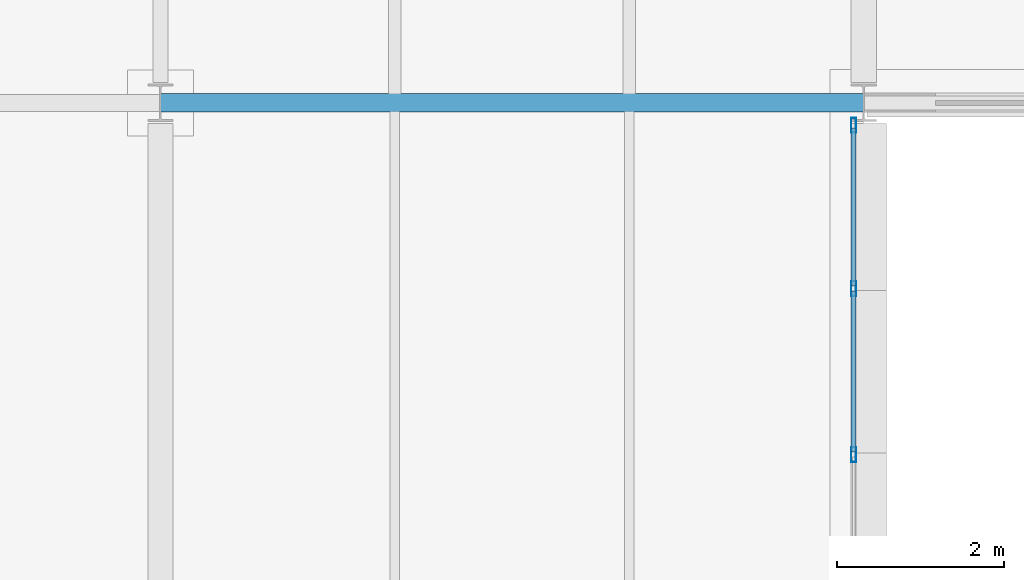
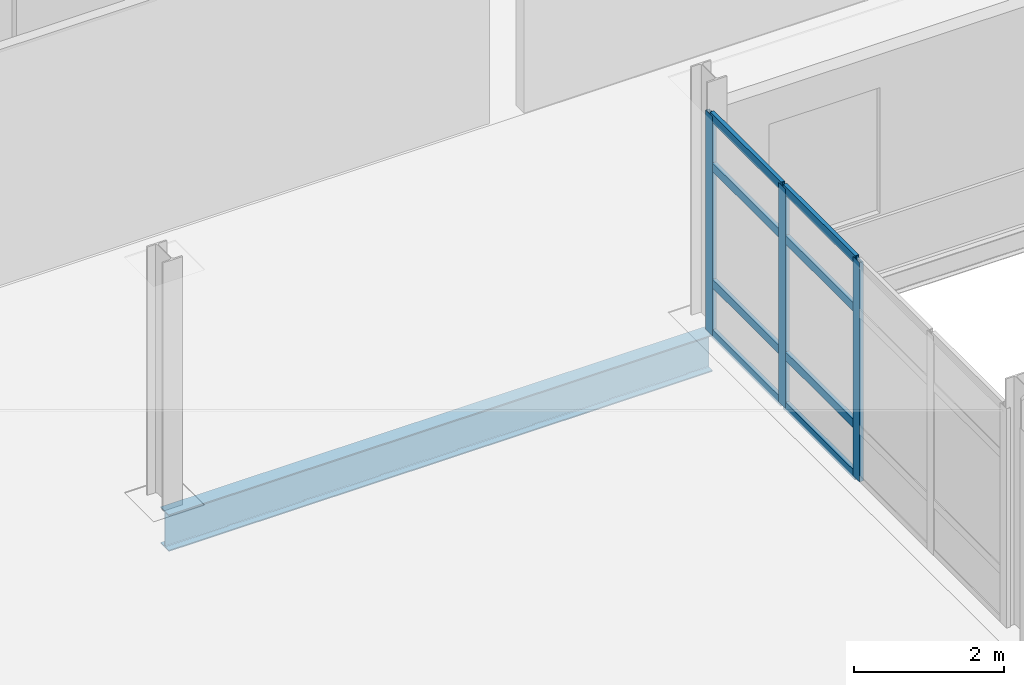
# One storey, part 53 of 103: 11 members, 1 beam, 1 element without a shape of its own.
"""IFC4 building model written with IfcOpenShell, lengths in metres."""

from ifc_helpers import new_model, si_unit, direction, frame, origin, origin_2d, place, context, subcontext, project, spatial, hollow_rectangle, i_section, extrude, material, material_profile, profile_set, type_object, element, aggregate, save


model = new_model("IFC4")

# Units and contexts
model_context = context("Model", 3, precision=1e-05, world=origin(), true_north=direction((0.0, 1.0)))
body_context = subcontext(model_context, "Body", "Model", "MODEL_VIEW")
ifc_project = project(units=[si_unit("LENGTHUNIT", "METRE"), si_unit("AREAUNIT", "SQUARE_METRE"), si_unit("VOLUMEUNIT", "CUBIC_METRE"), si_unit("PLANEANGLEUNIT", "RADIAN"), si_unit("MASSUNIT", "GRAM", prefix="KILO")], contexts=[model_context])

# Site, building, storey
site_placement = place(None, origin())
site = spatial("IfcSite", under=ifc_project, at=site_placement, CompositionType="ELEMENT")
building_placement = place(site_placement, origin())
building = spatial("IfcBuilding", under=site, at=building_placement, Name="Mersafa Astral City Hall", CompositionType="ELEMENT")
storey_placement = place(building_placement, frame((0.0, 0.0, 18.0)))
storey = spatial("IfcBuildingStorey", under=building, at=storey_placement, Name="L04", CompositionType="ELEMENT", Elevation=18.0)

# Curtain wall, members
ifc_material_1 = material(Name="Anodised bronze aluminium framing", Category="aluminium")
curtain_wall_type = type_object("IfcCurtainWallType", Name="ENV-CW-2", PredefinedType="USERDEFINED", material=ifc_material_1)
curtain_wall_placement = place(storey_placement, origin())
curtain_wall = element("IfcCurtainWall", 1, at=curtain_wall_placement, inside=storey, type_object=curtain_wall_type, Name="L04 Unitised solar curtain wall 217", ObjectType="UNITISED CURTAIN WALL", PredefinedType="USERDEFINED")
ifc_material_profile_1 = material_profile(ifc_material_1, hollow_rectangle(XDim=0.06005859375, YDim=0.179931640625, WallThickness=0.00390625, at=origin_2d()), Name="RHS 60x180x4")
ifc_profile_set_1 = profile_set([ifc_material_profile_1], Name="Anodised bronze aluminium framing")
member_type_1 = type_object("IfcMemberType", Name="ENV-CW-MUL-1", PredefinedType="MULLION", material=ifc_profile_set_1)
member_1_placement = place(storey_placement, frame((117.47998046875, 113.39990234375, -0.001953125), z_axis=(0.0, 0.0, 1.0), x_axis=(-1.0, 0.0, 0.0)))
member_1 = element("IfcMember", 2, at=member_1_placement, type_object=member_type_1, Name="CW-2 mullion 3", PredefinedType="MULLION", context=body_context, shape_type="SweptSolid", body=[
    extrude(hollow_rectangle(XDim=0.06005859375, YDim=0.179931640625, WallThickness=0.00390625, at=origin_2d()), origin(), (0.0, 0.0, 1.0), 3.578857421875),
])
member_2_placement = place(storey_placement, frame((117.47998046875, 115.381591796875, -0.001953125), z_axis=(0.0, 0.0, 1.0), x_axis=(-1.0, 0.0, 0.0)))
member_2 = element("IfcMember", 3, at=member_2_placement, type_object=member_type_1, Name="CW-2 mullion 4", PredefinedType="MULLION", context=body_context, shape_type="SweptSolid", body=[
    extrude(hollow_rectangle(XDim=0.06005859375, YDim=0.179931640625, WallThickness=0.00390625, at=origin_2d()), origin(), (0.0, 0.0, 1.0), 3.578857421875),
])
member_3_placement = place(storey_placement, frame((117.47998046875, 117.3330078125, -0.001953125), z_axis=(0.0, 0.0, 1.0), x_axis=(-1.0, 0.0, 0.0)))
member_3 = element("IfcMember", 4, at=member_3_placement, type_object=member_type_1, Name="CW-2 mullion 5", PredefinedType="MULLION", context=body_context, shape_type="SweptSolid", body=[
    extrude(hollow_rectangle(XDim=0.06005859375, YDim=0.179931640625, WallThickness=0.00390625, at=origin_2d()), origin(), (0.0, 0.0, 1.0), 3.578857421875),
])
ifc_material_profile_2 = material_profile(ifc_material_1, hollow_rectangle(XDim=0.06005859375, YDim=0.139892578125, WallThickness=0.00390625, at=origin_2d()), Name="RHS 60x140x4")
ifc_profile_set_2 = profile_set([ifc_material_profile_2], Name="Anodised bronze aluminium framing")
member_type_2 = type_object("IfcMemberType", Name="ENV-CW-TRN-1", PredefinedType="USERDEFINED", material=ifc_profile_set_2)
member_4_placement = place(storey_placement, frame((117.47998046875, 113.429931640625, 0.028076171875), z_axis=(0.0, 1.0, 0.0), x_axis=(-1.0, 0.0, 0.0)))
member_4 = element("IfcMember", 5, at=member_4_placement, type_object=member_type_2, Name="CW-2 transom 3.1", ObjectType="TRANSOM", PredefinedType="USERDEFINED", context=body_context, shape_type="SweptSolid", body=[
    extrude(hollow_rectangle(XDim=0.06005859375, YDim=0.139892578125, WallThickness=0.00390625, at=origin_2d()), origin(), (0.0, 0.0, 1.0), 1.921630859375),
])
member_5_placement = place(storey_placement, frame((117.47998046875, 113.429931640625, 0.85009765625), z_axis=(0.0, 1.0, 0.0), x_axis=(-1.0, 0.0, 0.0)))
member_5 = element("IfcMember", 6, at=member_5_placement, type_object=member_type_2, Name="CW-2 transom 3.2", ObjectType="TRANSOM", PredefinedType="USERDEFINED", context=body_context, shape_type="SweptSolid", body=[
    extrude(hollow_rectangle(XDim=0.06005859375, YDim=0.139892578125, WallThickness=0.00390625, at=origin_2d()), origin(), (0.0, 0.0, 1.0), 1.921630859375),
])
member_6_placement = place(storey_placement, frame((117.47998046875, 113.429931640625, 2.75), z_axis=(0.0, 1.0, 0.0), x_axis=(-1.0, 0.0, 0.0)))
member_6 = element("IfcMember", 7, at=member_6_placement, type_object=member_type_2, Name="CW-2 transom 3.3", ObjectType="TRANSOM", PredefinedType="USERDEFINED", context=body_context, shape_type="SweptSolid", body=[
    extrude(hollow_rectangle(XDim=0.06005859375, YDim=0.139892578125, WallThickness=0.00390625, at=origin_2d()), origin(), (0.0, 0.0, 1.0), 1.921630859375),
])
member_7_placement = place(storey_placement, frame((117.47998046875, 113.429931640625, 3.547119140625), z_axis=(0.0, 1.0, 0.0), x_axis=(-1.0, 0.0, 0.0)))
member_7 = element("IfcMember", 8, at=member_7_placement, type_object=member_type_2, Name="CW-2 transom 3.4", ObjectType="TRANSOM", PredefinedType="USERDEFINED", context=body_context, shape_type="SweptSolid", body=[
    extrude(hollow_rectangle(XDim=0.06005859375, YDim=0.139892578125, WallThickness=0.00390625, at=origin_2d()), origin(), (0.0, 0.0, 1.0), 1.921630859375),
])
member_8_placement = place(storey_placement, frame((117.47998046875, 115.41162109375, 0.028076171875), z_axis=(0.0, 1.0, 0.0), x_axis=(-1.0, 0.0, 0.0)))
member_8 = element("IfcMember", 9, at=member_8_placement, type_object=member_type_2, Name="CW-2 transom 4.1", ObjectType="TRANSOM", PredefinedType="USERDEFINED", context=body_context, shape_type="SweptSolid", body=[
    extrude(hollow_rectangle(XDim=0.06005859375, YDim=0.139892578125, WallThickness=0.00390625, at=origin_2d()), origin(), (0.0, 0.0, 1.0), 1.891357421875),
])
member_9_placement = place(storey_placement, frame((117.47998046875, 115.41162109375, 0.85009765625), z_axis=(0.0, 1.0, 0.0), x_axis=(-1.0, 0.0, 0.0)))
member_9 = element("IfcMember", 10, at=member_9_placement, type_object=member_type_2, Name="CW-2 transom 4.2", ObjectType="TRANSOM", PredefinedType="USERDEFINED", context=body_context, shape_type="SweptSolid", body=[
    extrude(hollow_rectangle(XDim=0.06005859375, YDim=0.139892578125, WallThickness=0.00390625, at=origin_2d()), origin(), (0.0, 0.0, 1.0), 1.891357421875),
])
member_10_placement = place(storey_placement, frame((117.47998046875, 115.41162109375, 2.75), z_axis=(0.0, 1.0, 0.0), x_axis=(-1.0, 0.0, 0.0)))
member_10 = element("IfcMember", 11, at=member_10_placement, type_object=member_type_2, Name="CW-2 transom 4.3", ObjectType="TRANSOM", PredefinedType="USERDEFINED", context=body_context, shape_type="SweptSolid", body=[
    extrude(hollow_rectangle(XDim=0.06005859375, YDim=0.139892578125, WallThickness=0.00390625, at=origin_2d()), origin(), (0.0, 0.0, 1.0), 1.891357421875),
])
member_11_placement = place(storey_placement, frame((117.47998046875, 115.41162109375, 3.547119140625), z_axis=(0.0, 1.0, 0.0), x_axis=(-1.0, 0.0, 0.0)))
member_11 = element("IfcMember", 12, at=member_11_placement, type_object=member_type_2, Name="CW-2 transom 4.4", ObjectType="TRANSOM", PredefinedType="USERDEFINED", context=body_context, shape_type="SweptSolid", body=[
    extrude(hollow_rectangle(XDim=0.06005859375, YDim=0.139892578125, WallThickness=0.00390625, at=origin_2d()), origin(), (0.0, 0.0, 1.0), 1.891357421875),
])
aggregate(curtain_wall, [member_1, member_2, member_3, member_4, member_5, member_6, member_7, member_8, member_9, member_10, member_11])

# Beam
ifc_material_2 = material(Name="Steel S355", Category="steel")
ifc_material_profile_3 = material_profile(ifc_material_2, i_section(OverallWidth=0.219970703125, OverallDepth=0.60009765625, WebThickness=0.011962890625, FlangeThickness=0.01904296875, FilletRadius=0.02392578125, at=origin_2d()), Name="IPE 600")
ifc_profile_set_3 = profile_set([ifc_material_profile_3], Name="Steel S355")
beam_type = type_object("IfcBeamType", Name="STR-BM-IPE600", PredefinedType="BEAM", material=ifc_profile_set_3)
beam_placement = place(storey_placement, frame((109.202880859375, 117.60009765625, -0.485107421875), z_axis=(1.0, 0.0, 0.0), x_axis=(0.0, 1.0, 0.0)))
element("IfcBeam", 13, at=beam_placement, inside=storey, type_object=beam_type, Name="L04 Primary girder X 13-14", PredefinedType="BEAM", context=body_context, shape_type="SweptSolid", body=[
    extrude(i_section(OverallWidth=0.219970703125, OverallDepth=0.60009765625, WebThickness=0.011962890625, FlangeThickness=0.01904296875, FilletRadius=0.02392578125, at=origin_2d()), origin(), (0.0, 0.0, 1.0), 8.39404296875),
])

save(model, "model.ifc")
